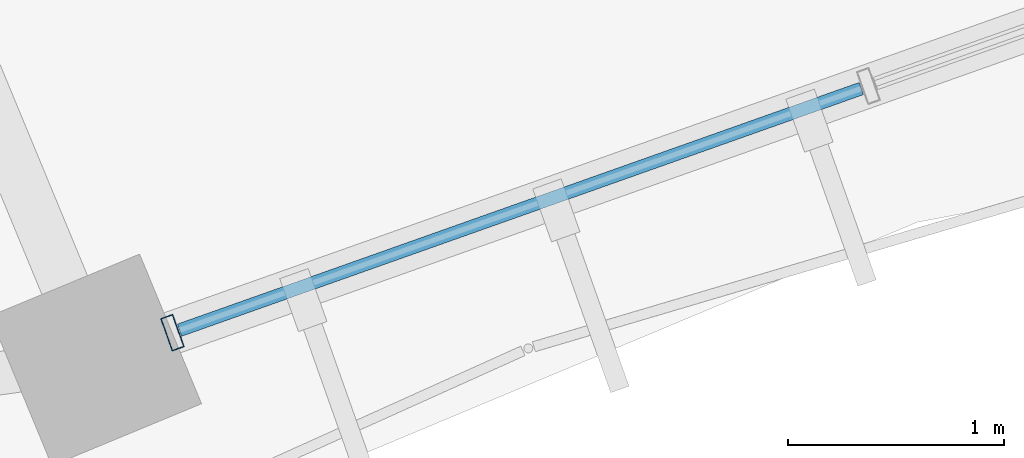
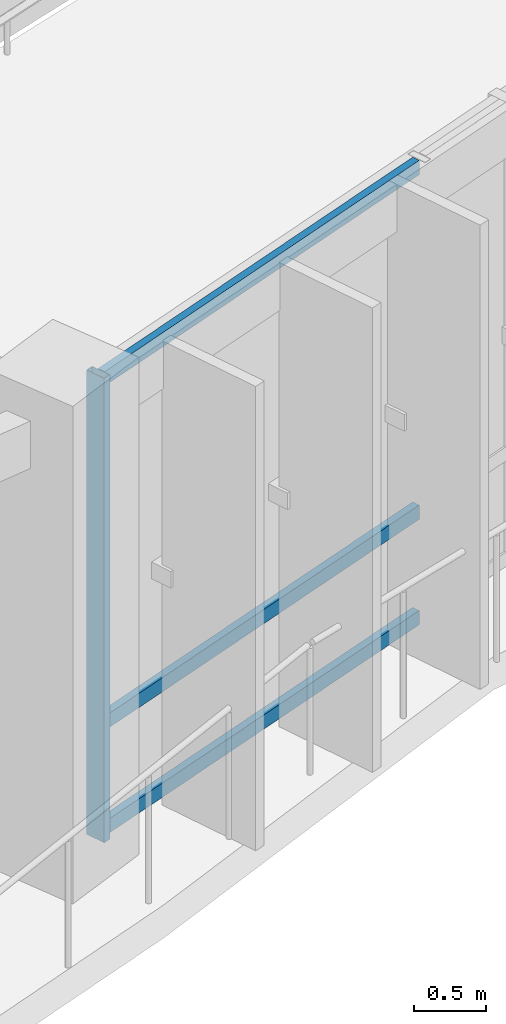
# One storey, part 46 of 152: 4 members, 1 element without a shape of its own.
"""IFC4 building model written with IfcOpenShell, lengths in metres."""

from ifc_helpers import new_model, si_unit, direction, frame, origin, origin_2d, place, context, subcontext, project, spatial, hollow_rectangle, extrude, material, material_profile, profile_set, type_object, element, aggregate, save


model = new_model("IFC4")

# Units and contexts
model_context = context("Model", 3, precision=1e-05, world=origin(), true_north=direction((0.0, 1.0)))
body_context = subcontext(model_context, "Body", "Model", "MODEL_VIEW")
ifc_project = project(units=[si_unit("LENGTHUNIT", "METRE"), si_unit("AREAUNIT", "SQUARE_METRE"), si_unit("VOLUMEUNIT", "CUBIC_METRE"), si_unit("PLANEANGLEUNIT", "RADIAN"), si_unit("MASSUNIT", "GRAM", prefix="KILO"), si_unit("THERMODYNAMICTEMPERATUREUNIT", "KELVIN"), si_unit("POWERUNIT", "WATT")], contexts=[model_context])

# Site, building, storey
site_placement = place(None, origin())
site = spatial("IfcSite", under=ifc_project, at=site_placement, CompositionType="ELEMENT")
building_placement = place(site_placement, origin())
building = spatial("IfcBuilding", under=site, at=building_placement, Name="Darbajah Civic Hall", CompositionType="ELEMENT")
storey_placement = place(building_placement, frame((0.0, 0.0, 5.39990234375)))
storey = spatial("IfcBuildingStorey", under=building, at=storey_placement, Name="L01", CompositionType="ELEMENT", Elevation=5.39990234375)

# Curtain wall, members
ifc_material_1 = material(Name="Anodised Bronze Aluminium and Low-E Glazing", Category="aluminium")
curtain_wall_type = type_object("IfcCurtainWallType", Name="Unitised Curtain Wall CW-33 13700x3900", PredefinedType="USERDEFINED", material=ifc_material_1)
curtain_wall_placement = place(storey_placement, origin())
curtain_wall = element("IfcCurtainWall", 1, at=curtain_wall_placement, inside=storey, type_object=curtain_wall_type, Name="L01 unitised curtain wall CW-V1O-L01-16", ObjectType="UNITISED CURTAIN WALL", PredefinedType="USERDEFINED")
ifc_material_2 = material(Name="Anodised Bronze Aluminium", Category="aluminium")
ifc_material_profile_1 = material_profile(ifc_material_2, hollow_rectangle(XDim=0.06005859375, YDim=0.159912109375, WallThickness=0.00341796875, at=origin_2d()), Name="ALU MULLION 60x160")
ifc_profile_set_1 = profile_set([ifc_material_profile_1], Name="Anodised Bronze Aluminium")
member_type_1 = type_object("IfcMemberType", Name="ALU MULLION 60x160", PredefinedType="MULLION", material=ifc_profile_set_1)
member_1_placement = place(storey_placement, frame((108.97216796875, 62.671630859375, 0.0), z_axis=(0.0, 0.0, 1.0), x_axis=(0.94252491309, 0.334135882844, 0.0)))
member_1 = element("IfcMember", 2, at=member_1_placement, type_object=member_type_1, Name="CW-V1O-L01-16 mullion 1", PredefinedType="MULLION", context=body_context, shape_type="SweptSolid", body=[
    extrude(hollow_rectangle(XDim=0.06005859375, YDim=0.159912109375, WallThickness=0.00341796875, at=origin_2d()), origin(), (0.0, 0.0, 1.0), 3.920166015625),
])
ifc_material_profile_2 = material_profile(ifc_material_2, hollow_rectangle(XDim=0.06005859375, YDim=0.1201171875, WallThickness=0.003173828125, at=origin_2d()), Name="ALU TRANSOM 60x120")
ifc_profile_set_2 = profile_set([ifc_material_profile_2], Name="Anodised Bronze Aluminium")
member_type_2 = type_object("IfcMemberType", Name="ALU TRANSOM 60x120", PredefinedType="USERDEFINED", material=ifc_profile_set_2)
member_2_placement = place(storey_placement, frame((109.005126953125, 62.683349609375, 0.06005859375), z_axis=(0.942553625563, 0.334054880128, 0.0), x_axis=(-0.334054880128, 0.942553625563, 0.0)))
member_2 = element("IfcMember", 3, at=member_2_placement, type_object=member_type_2, Name="CW-V1O-L01-16 transom 1.1", ObjectType="TRANSOM", PredefinedType="USERDEFINED", context=body_context, shape_type="SweptSolid", body=[
    extrude(hollow_rectangle(XDim=0.06005859375, YDim=0.1201171875, WallThickness=0.003173828125, at=origin_2d()), origin(), (0.0, 0.0, 1.0), 3.35009765625),
])
member_3_placement = place(storey_placement, frame((109.005126953125, 62.683349609375, 0.9501953125), z_axis=(0.942553625563, 0.334054880128, 0.0), x_axis=(-0.334054880128, 0.942553625563, 0.0)))
member_3 = element("IfcMember", 4, at=member_3_placement, type_object=member_type_2, Name="CW-V1O-L01-16 transom 1.2", ObjectType="TRANSOM", PredefinedType="USERDEFINED", context=body_context, shape_type="SweptSolid", body=[
    extrude(hollow_rectangle(XDim=0.06005859375, YDim=0.1201171875, WallThickness=0.003173828125, at=origin_2d()), origin(), (0.0, 0.0, 1.0), 3.35009765625),
])
member_4_placement = place(storey_placement, frame((109.005126953125, 62.683349609375, 3.860107421875), z_axis=(0.942553625563, 0.334054880128, 0.0), x_axis=(-0.334054880128, 0.942553625563, 0.0)))
member_4 = element("IfcMember", 5, at=member_4_placement, type_object=member_type_2, Name="CW-V1O-L01-16 transom 1.3", ObjectType="TRANSOM", PredefinedType="USERDEFINED", context=body_context, shape_type="SweptSolid", body=[
    extrude(hollow_rectangle(XDim=0.06005859375, YDim=0.1201171875, WallThickness=0.003173828125, at=origin_2d()), origin(), (0.0, 0.0, 1.0), 3.35009765625),
])
aggregate(curtain_wall, [member_1, member_2, member_3, member_4])

save(model, "model.ifc")
